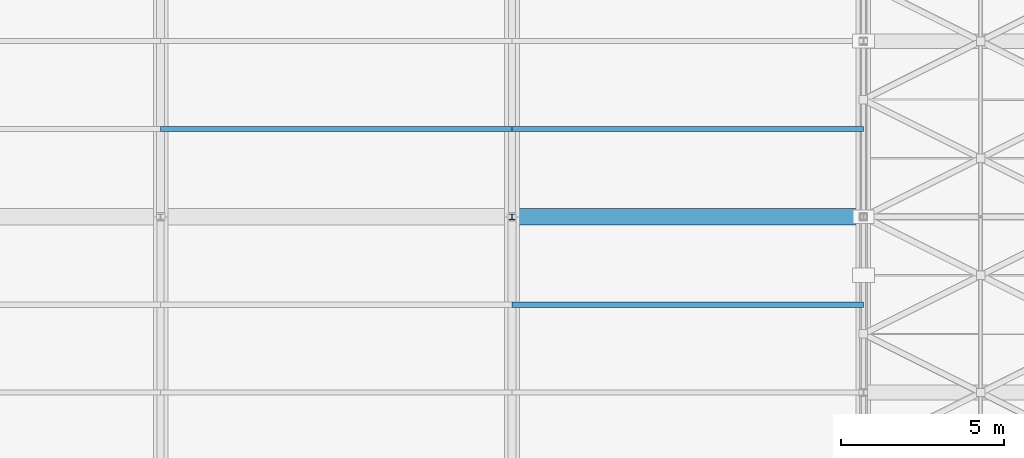
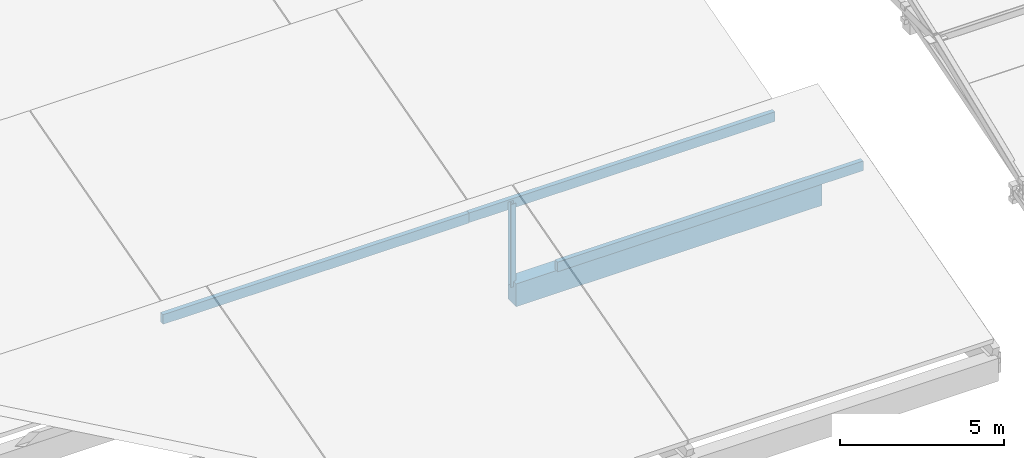
# One storey, part 27 of 112: 4 members, 1 beam.
"""IFC4 building model written with IfcOpenShell, lengths in metres."""

from ifc_helpers import new_model, si_unit, direction, frame, origin, origin_2d, place, context, subcontext, project, spatial, rectangle, i_section, extrude, material, material_profile, profile_set, type_object, element, save


model = new_model("IFC4")

# Units and contexts
model_context = context("Model", 3, precision=1e-05, world=origin(), true_north=direction((0.0, 1.0)))
body_context = subcontext(model_context, "Body", "Model", "MODEL_VIEW")
ifc_project = project(units=[si_unit("LENGTHUNIT", "METRE"), si_unit("AREAUNIT", "SQUARE_METRE"), si_unit("VOLUMEUNIT", "CUBIC_METRE"), si_unit("PLANEANGLEUNIT", "RADIAN"), si_unit("MASSUNIT", "GRAM", prefix="KILO")], contexts=[model_context])

# Site, building, storey
site_placement = place(None, origin())
site = spatial("IfcSite", under=ifc_project, at=site_placement, CompositionType="ELEMENT")
building_placement = place(site_placement, origin())
building = spatial("IfcBuilding", under=site, at=building_placement, Name="Zwinboog Wholesale Market", CompositionType="ELEMENT")
storey_placement = place(building_placement, frame((0.0, 0.0, 19.080078125)))
storey = spatial("IfcBuildingStorey", under=building, at=storey_placement, Name="Roof", CompositionType="ELEMENT", Elevation=19.080078125)

# Beam
ifc_material_1 = material(Name="Precast concrete C45/55", Category="concrete")
ifc_material_profile_1 = material_profile(ifc_material_1, rectangle(XDim=0.5, YDim=0.85009765625, at=origin_2d()), Name="PC 500x850")
ifc_profile_set_1 = profile_set([ifc_material_profile_1], Name="Precast concrete C45/55")
beam_type = type_object("IfcBeamType", Name="BT-03", PredefinedType="BEAM", material=ifc_profile_set_1)
beam_placement = place(storey_placement, frame((54.0, 75.60009765625, -9.425048828125), z_axis=(1.0, 0.0, 0.0), x_axis=(0.0, 1.0, 0.0)))
element("IfcBeam", 1, at=beam_placement, inside=storey, type_object=beam_type, Name="BG-03 (BMG-Roof-0540-0756-1194)", PredefinedType="BEAM", context=body_context, shape_type="SweptSolid", body=[
    extrude(rectangle(XDim=0.5, YDim=0.85009765625, at=origin_2d()), origin(), (0.0, 0.0, 1.0), 10.800048828125),
])

# Members
ifc_material_2 = material(Name="Steel S355", Category="steel")
ifc_material_profile_2 = material_profile(ifc_material_2, i_section(OverallWidth=0.179931640625, OverallDepth=0.1708984375, WebThickness=0.006103515625, FlangeThickness=0.009521484375, FilletRadius=0.014892578125, at=origin_2d()), Name="HEA 180")
ifc_profile_set_2 = profile_set([ifc_material_profile_2], Name="Steel S355")
member_type_1 = type_object("IfcMemberType", Name="MT-07", PredefinedType="BRACE", material=ifc_profile_set_2)
member_placement = place(storey_placement, frame((54.0, 75.60009765625, -9.2001953125), z_axis=(0.0, 0.0, 1.0), x_axis=(1.0, 0.0, 0.0)))
element("IfcMember", 2, at=member_placement, inside=storey, type_object=member_type_1, Name="DB-04 (MEM-Roof-0850)", PredefinedType="BRACE", context=body_context, shape_type="SweptSolid", body=[
    extrude(i_section(OverallWidth=0.179931640625, OverallDepth=0.1708984375, WebThickness=0.006103515625, FlangeThickness=0.009521484375, FilletRadius=0.014892578125, at=origin_2d()), origin(), (0.0, 0.0, 1.0), 3.0869140625),
])
ifc_material_3 = material(Name="Glulam GL28h", Category="wood")
ifc_material_profile_3 = material_profile(ifc_material_3, rectangle(XDim=0.159912109375, YDim=0.360107421875, at=origin_2d()), Name="GL28h 160x360")
ifc_profile_set_3 = profile_set([ifc_material_profile_3], Name="Glulam GL28h")
member_type_2 = type_object("IfcMemberType", Name="MT-12", PredefinedType="PURLIN", material=ifc_profile_set_3)
for number, where, z_axis, x_axis, name in (
    (3, (54.0, 72.89990234375, -6.833251953125), (1.0, 0.0, 0.0), (0.0, 1.0, 0.0), "GP-01 (MEM-Roof-0856)"),
    (4, (43.199951171875, 78.300048828125, -8.285888671875), (1.0, 0.0, 0.0), (0.0, 1.0, 0.0), "GP-01 (MEM-Roof-0858)"),
    (5, (54.0, 78.300048828125, -8.273193359375), (1.0, 0.0, 0.0), (0.0, 1.0, 0.0), "GP-01 (MEM-Roof-0864)"),
):
    element("IfcMember", number, at=place(storey_placement, frame(where, z_axis=z_axis, x_axis=x_axis)), inside=storey, type_object=member_type_2, Name=name, PredefinedType="PURLIN", context=body_context, shape_type="SweptSolid", body=[
        extrude(rectangle(XDim=0.159912109375, YDim=0.360107421875, at=origin_2d()), origin(), (0.0, 0.0, 1.0), 10.800048828125),
    ])

save(model, "model.ifc")
